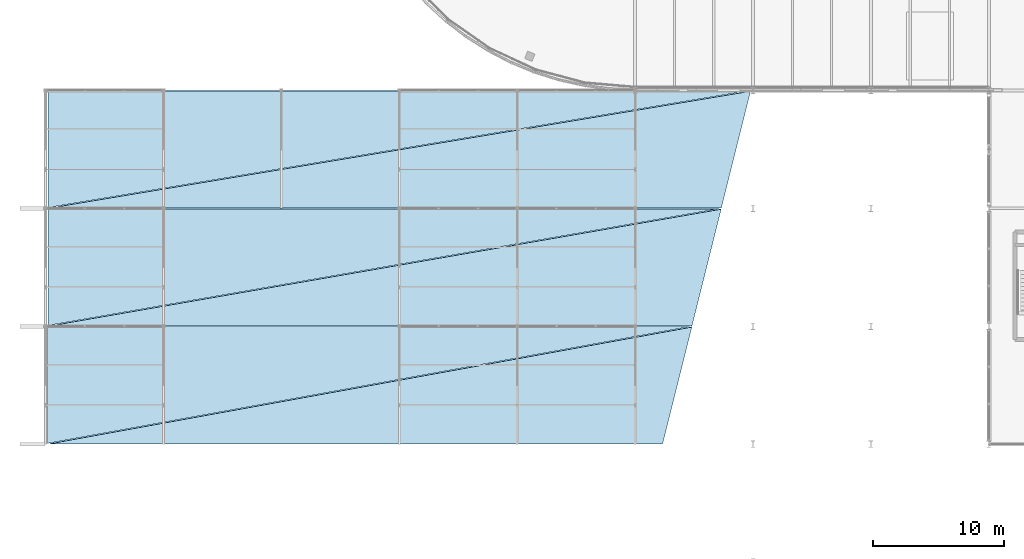
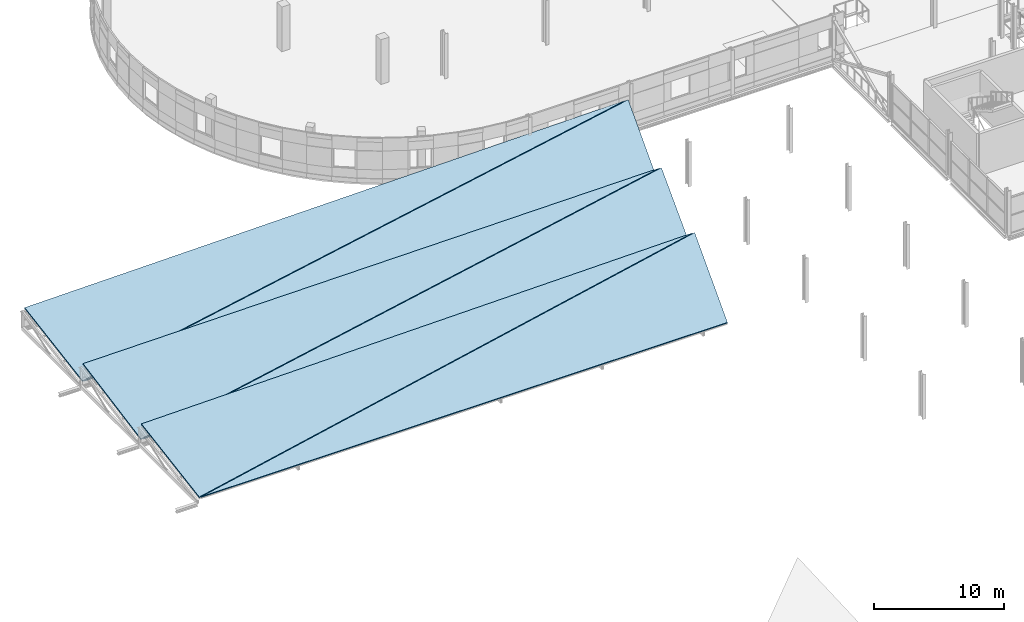
# One storey, part 89 of 103: 6 roofs.
"""IFC4 building model written with IfcOpenShell, lengths in metres."""

import ifcopenshell
import ifcopenshell.guid

model = None  # the IFC model being written
_history = None  # IfcOwnerHistory: only IFC2X3 demands one
_inside = {}  # id of a spatial element -> (the spatial element, [elements in it])
_under = {}  # id of a project, library or spatial element -> (it, [spatial elements below it])
_declared = {}  # id of a project -> (the project, [libraries it declares])
_typed = {}  # id of a type object -> (the type object, [elements of that type])
_made_of = {}  # id of a material, layer set ... -> (it, [elements and type objects made of it])


def new_model(schema):
    """Start an empty IFC model of exactly this schema.

    Asked for "IFC4X3", IfcOpenShell would pick the latest addendum, in which some entities
    have other attributes; the version numbers below select the first issue.
    IFC2X3 requires an IfcOwnerHistory on every rooted entity: one is made here for all.
    """
    global model, _history
    if schema == "IFC4X3":
        model = ifcopenshell.file(schema_version=(4, 3, 0, 0))
    else:
        model = ifcopenshell.file(schema=schema)
    _inside.clear()
    _under.clear()
    _declared.clear()
    _typed.clear()
    _made_of.clear()
    _history = None
    if model.schema == "IFC2X3":
        org = make("IfcOrganization", Name="unknown")
        user = make(
            "IfcPersonAndOrganization",
            ThePerson=make("IfcPerson", FamilyName="unknown"),
            TheOrganization=org,
        )
        app = make(
            "IfcApplication",
            ApplicationDeveloper=org,
            Version="unknown",
            ApplicationFullName="unknown",
            ApplicationIdentifier="unknown",
        )
        _history = make(
            "IfcOwnerHistory",
            OwningUser=user,
            OwningApplication=app,
            ChangeAction="ADDED",
            CreationDate=0,
        )
    return model


def make(cls, **values):
    """One entity of the class cls with the attributes given. An attribute that is None is left unset."""
    return model.create_entity(
        cls, **{name: value for name, value in values.items() if value is not None}
    )


def rooted(cls, **values):
    """An entity with a GlobalId (a new one), such as an element, a storey or a relation."""
    return make(cls, GlobalId=ifcopenshell.guid.new(), OwnerHistory=_history, **values)


def si_unit(unit_type, name, prefix=None):
    """IfcSIUnit, for example si_unit("LENGTHUNIT", "METRE", prefix="MILLI")."""
    return make("IfcSIUnit", UnitType=unit_type, Prefix=prefix, Name=name)


def assignment(units):
    """IfcUnitAssignment: the units of a project."""
    return None if units is None else make("IfcUnitAssignment", Units=units)


def point(xyz):
    """IfcCartesianPoint."""
    return None if xyz is None else make("IfcCartesianPoint", Coordinates=xyz)


def direction(xyz):
    """IfcDirection."""
    return None if xyz is None else make("IfcDirection", DirectionRatios=xyz)


def frame(location, z_axis=None, x_axis=None):
    """IfcAxis2Placement3D, a coordinate frame: its origin and axes. An axis left out is left unset."""
    return make(
        "IfcAxis2Placement3D",
        Location=point(location),
        Axis=direction(z_axis),
        RefDirection=direction(x_axis),
    )


def origin():
    """The frame at (0, 0, 0) with its axes left unset."""
    return frame((0.0, 0.0, 0.0))


def place(relative_to, where):
    """IfcLocalPlacement: puts the frame where relative to a parent placement (None: the world)."""
    return make(
        "IfcLocalPlacement", PlacementRelTo=relative_to, RelativePlacement=where
    )


def context(
    kind, dimensions, precision=None, world=None, true_north=None, identifier=None
):
    """IfcGeometricRepresentationContext, for example the 3D "Model" context."""
    return make(
        "IfcGeometricRepresentationContext",
        ContextIdentifier=identifier,
        ContextType=kind,
        CoordinateSpaceDimension=dimensions,
        Precision=precision,
        WorldCoordinateSystem=world,
        TrueNorth=true_north,
    )


def subcontext(parent, identifier, kind, view, scale=None):
    """IfcGeometricRepresentationSubContext, for example "Body" below "Model"."""
    return make(
        "IfcGeometricRepresentationSubContext",
        ContextIdentifier=identifier,
        ContextType=kind,
        ParentContext=parent,
        TargetScale=scale,
        TargetView=view,
    )


def project(units=None, contexts=None):
    """IfcProject with its units and contexts."""
    return rooted(
        "IfcProject",
        Name="project",
        RepresentationContexts=contexts,
        UnitsInContext=assignment(units),
    )


def spatial(cls, under=None, at=None, **own):
    """A site, building, storey or space (cls), placed at a placement, below another one or the project."""
    s = rooted(cls, ObjectPlacement=at, **own)
    if under is not None:
        _under.setdefault(under.id(), (under, []))[1].append(s)
    return s


def polyline(points):
    """IfcPolyline through the points."""
    return make("IfcPolyline", Points=[point(p) for p in points])


def outline(outer, holes=None, kind="AREA"):
    """IfcArbitraryClosedProfileDef: a profile drawn as a closed curve; with holes, ...WithVoids."""
    if holes is None:
        return make("IfcArbitraryClosedProfileDef", ProfileType=kind, OuterCurve=outer)
    return make(
        "IfcArbitraryProfileDefWithVoids",
        ProfileType=kind,
        OuterCurve=outer,
        InnerCurves=holes,
    )


def extrude(swept, where, along, depth):
    """IfcExtrudedAreaSolid: the profile swept, set in the frame where, extruded along a direction by depth."""
    return make(
        "IfcExtrudedAreaSolid",
        SweptArea=swept,
        Position=where,
        ExtrudedDirection=direction(along),
        Depth=depth,
    )


def shape(context_of_items, identifier, shape_type, items):
    """IfcShapeRepresentation: the items that make up one representation, for example the "Body"."""
    return make(
        "IfcShapeRepresentation",
        ContextOfItems=context_of_items,
        RepresentationIdentifier=identifier,
        RepresentationType=shape_type,
        Items=items,
    )


def material(Name=None, Category=None):
    """IfcMaterial."""
    return make("IfcMaterial", Name=Name, Category=Category)


def layer(
    of_material, thickness, ventilated=None, Name=None, Category=None, Priority=None
):
    """IfcMaterialLayer: one layer of a wall or slab, of a material (None: an air gap)."""
    return make(
        "IfcMaterialLayer",
        Material=of_material,
        LayerThickness=thickness,
        IsVentilated=ventilated,
        Name=Name,
        Category=Category,
        Priority=Priority,
    )


def layer_set(layers, Name=None):
    """IfcMaterialLayerSet."""
    return make("IfcMaterialLayerSet", MaterialLayers=layers, LayerSetName=Name)


def made_of(thing, what):
    """Note that an element or type object is made of a material, layer set ...; save() writes the relation."""
    if what is not None:
        _made_of.setdefault(what.id(), (what, []))[1].append(thing)
    return thing


def type_object(cls, material=None, **own):
    """A type object (cls), such as IfcWallType, which elements share."""
    return made_of(rooted(cls, **own), material)


def element(
    cls,
    number,
    at=None,
    inside=None,
    cuts=None,
    type_object=None,
    material=None,
    context=None,
    identifier="Body",
    shape_type=None,
    held_by="IfcProductDefinitionShape",
    body=None,
    shapes=None,
    **own,
):
    """One element of the class cls, such as IfcWall. Its Tag is "e" and its number.

    at: its placement. inside: the storey or other place that contains it. cuts: it is an
    opening in that element (IfcRelVoidsElement). A single representation is given by context,
    identifier, shape_type and body (its items); several are given by shapes. held_by: the class
    of the entity that holds the representations. save() writes the other relations.
    """
    e = rooted(cls, Tag="e%d" % number, ObjectPlacement=at, **own)
    if body is not None:
        shapes = [shape(context, identifier, shape_type, body)]
    if shapes is not None:
        e.Representation = make(held_by, Representations=shapes)
    if inside is not None:
        _inside.setdefault(inside.id(), (inside, []))[1].append(e)
    if cuts is not None:
        rooted(
            "IfcRelVoidsElement", RelatingBuildingElement=cuts, RelatedOpeningElement=e
        )
    if type_object is not None:
        _typed.setdefault(type_object.id(), (type_object, []))[1].append(e)
    return made_of(e, material)


def aggregate(whole, parts):
    """IfcRelAggregates: a whole, such as a stair, and the parts it consists of."""
    return rooted("IfcRelAggregates", RelatingObject=whole, RelatedObjects=parts)


def save(model, path):
    """Write the relations noted so far, then the file.

    IfcRelAggregates (storeys below a building ...), IfcRelContainedInSpatialStructure (elements
    in a storey), IfcRelDefinesByType, IfcRelAssociatesMaterial and IfcRelDeclares: one each for
    every whole, place, type object, material and project.
    """
    for whole, parts in _under.values():
        aggregate(whole, parts)
    for where, things in _inside.values():
        rooted(
            "IfcRelContainedInSpatialStructure",
            RelatedElements=things,
            RelatingStructure=where,
        )
    for kind, things in _typed.values():
        rooted("IfcRelDefinesByType", RelatedObjects=things, RelatingType=kind)
    for what, things in _made_of.values():
        rooted("IfcRelAssociatesMaterial", RelatedObjects=things, RelatingMaterial=what)
    for by, libraries in _declared.values():
        rooted("IfcRelDeclares", RelatingContext=by, RelatedDefinitions=libraries)
    model.write(path)


model = new_model("IFC4")

# Units and contexts
model_context = context("Model", 3, precision=1e-05, world=origin(), true_north=direction((0.0, 1.0)))
body_context = subcontext(model_context, "Body", "Model", "MODEL_VIEW")
ifc_project = project(units=[si_unit("LENGTHUNIT", "METRE"), si_unit("AREAUNIT", "SQUARE_METRE"), si_unit("VOLUMEUNIT", "CUBIC_METRE"), si_unit("PLANEANGLEUNIT", "RADIAN"), si_unit("MASSUNIT", "GRAM", prefix="KILO")], contexts=[model_context])

# Site, building, storey
site_placement = place(None, origin())
site = spatial("IfcSite", under=ifc_project, at=site_placement, CompositionType="ELEMENT")
building_placement = place(site_placement, origin())
building = spatial("IfcBuilding", under=site, at=building_placement, Name="Deido Ridge Mobility Hub", CompositionType="ELEMENT")
storey_placement = place(building_placement, frame((0.0, 0.0, 12.60009765625)))
storey = spatial("IfcBuildingStorey", under=building, at=storey_placement, Name="L03", CompositionType="ELEMENT", Elevation=12.60009765625)

# Roofs
ifc_material = material(Name="Standing-seam aluminium roofing EN AW-3004", Category="aluminium")
ifc_layer = layer(ifc_material, 0.110107421875, Name="Standing-seam aluminium roofing EN AW-3004")
ifc_layer_set = layer_set([ifc_layer], Name="Standing-seam aluminium roofing EN AW-3004")
roof_type = type_object("IfcRoofType", Name="ROOF-SAWTOOTH-SHED", PredefinedType="SHED_ROOF", material=ifc_layer_set)
roof_1_placement = place(storey_placement, frame((0.322509765625, 54.030029296875, 0.389404296875), z_axis=(0.0, -0.246588592299, 0.969120253709), x_axis=(1.0, 0.0, 0.0)))
element("IfcRoof", 1, at=roof_1_placement, inside=storey, type_object=roof_type, Name="Diagonal sawtooth standing-seam shard 1-1", PredefinedType="SHED_ROOF", context=body_context, shape_type="SweptSolid", body=[
    extrude(outline(polyline([(0.0, 0.0), (46.777587890625, 0.0), (49.0048828125, 9.193814777143473), (0.0, 0.0)])), origin(), (0.0, 0.0, -1.0), 0.110107421875),
])
roof_2_placement = place(storey_placement, frame((0.1650390625, 54.06005859375, 0.39453125), z_axis=(-0.015942434526, -0.163312885577, 0.986445507966), x_axis=(0.982852566842, 0.178699131279, 0.045469246008)))
element("IfcRoof", 2, at=roof_2_placement, inside=storey, type_object=roof_type, Name="Diagonal sawtooth standing-seam shard 1-2", PredefinedType="SHED_ROOF", context=body_context, shape_type="SweptSolid", body=[
    extrude(outline(polyline([(0.0, 0.0), (49.85985127959449, 1.0547118733938987e-15), (1.6592651319373115, 8.877459440301521), (0.0, 0.0)])), origin(), (0.0, 0.0, -1.0), 0.110107421875),
])
roof_3_placement = place(storey_placement, frame((0.33740234375, 63.030029296875, 0.388916015625), z_axis=(0.0, -0.231335805934, 0.972873961463), x_axis=(1.0, 0.0, 0.0)))
element("IfcRoof", 3, at=roof_3_placement, inside=storey, type_object=roof_type, Name="Diagonal sawtooth standing-seam shard 2-1", PredefinedType="SHED_ROOF", context=body_context, shape_type="SweptSolid", body=[
    extrude(outline(polyline([(0.0, 0.0), (49.005126953125, 0.0), (51.232666015625, 9.158341637570889), (0.0, 0.0)])), origin(), (0.0, 0.0, -1.0), 0.110107421875),
])
roof_4_placement = place(storey_placement, frame((0.172607421875, 63.06005859375, 0.394775390625), z_axis=(-0.008542386646, -0.184546829686, 0.982786597021), x_axis=(0.984395510543, 0.171197791531, 0.040703746736)))
element("IfcRoof", 4, at=roof_4_placement, inside=storey, type_object=roof_type, Name="Diagonal sawtooth standing-seam shard 2-2", PredefinedType="SHED_ROOF", context=body_context, shape_type="SweptSolid", body=[
    extrude(outline(polyline([(0.0, 0.0), (52.04455051482175, 7.771561172376096e-16), (1.593458539627172, 8.924498468322568), (0.0, 0.0)])), origin(), (0.0, 0.0, -1.0), 0.110107421875),
])
roof_5_placement = place(storey_placement, frame((0.3525390625, 72.030029296875, 0.389404296875), z_axis=(0.0, -0.246588592299, 0.969120253709), x_axis=(1.0, 0.0, 0.0)))
element("IfcRoof", 5, at=roof_5_placement, inside=storey, type_object=roof_type, Name="Diagonal sawtooth standing-seam shard 3-1", PredefinedType="SHED_ROOF", context=body_context, shape_type="SweptSolid", body=[
    extrude(outline(polyline([(0.0, 0.0), (51.232421875, 0.0), (53.4599609375, 9.193814777143473), (0.0, 0.0)])), origin(), (0.0, 0.0, -1.0), 0.110107421875),
])
roof_6_placement = place(storey_placement, frame((0.179931640625, 72.06005859375, 0.39453125), z_axis=(-0.014614170688, -0.163316200595, 0.986465531399), x_axis=(0.985532316308, 0.16425388581, 0.041793713759)))
element("IfcRoof", 6, at=roof_6_placement, inside=storey, type_object=roof_type, Name="Diagonal sawtooth standing-seam shard 3-2", PredefinedType="SHED_ROOF", context=body_context, shape_type="SweptSolid", body=[
    extrude(outline(polyline([(0.0, 0.0), (54.24475692263214, -5.551115123125783e-17), (1.5251374954045365, 8.901483163629122), (0.0, 0.0)])), origin(), (0.0, 0.0, -1.0), 0.110107421875),
])

save(model, "model.ifc")
